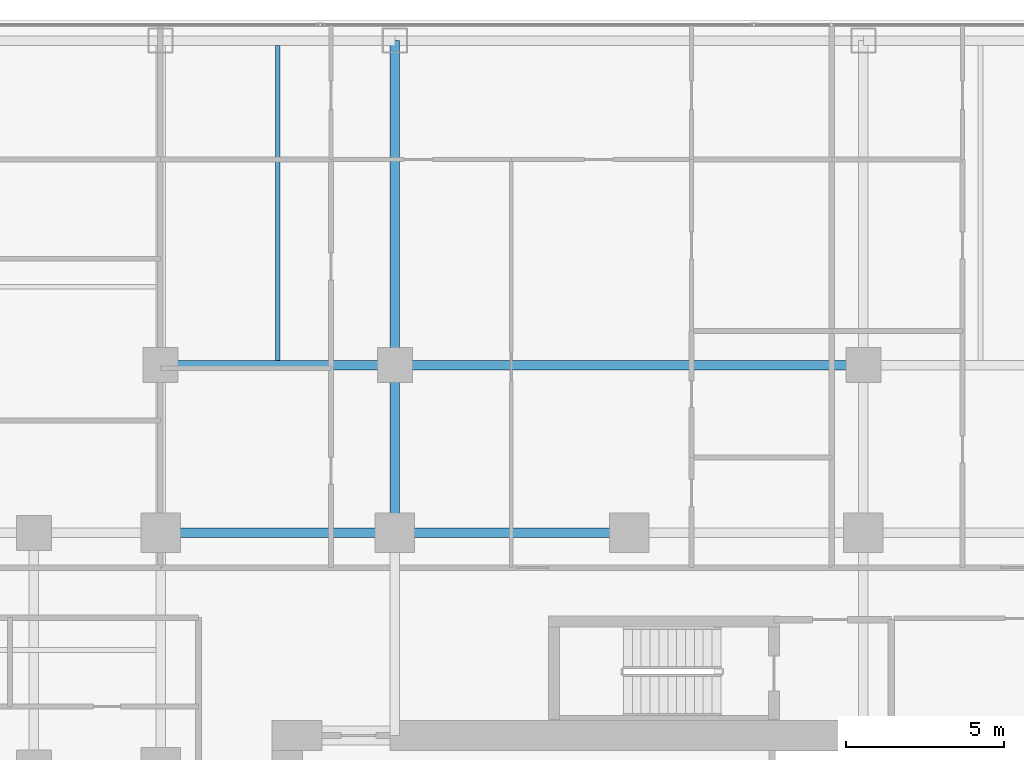
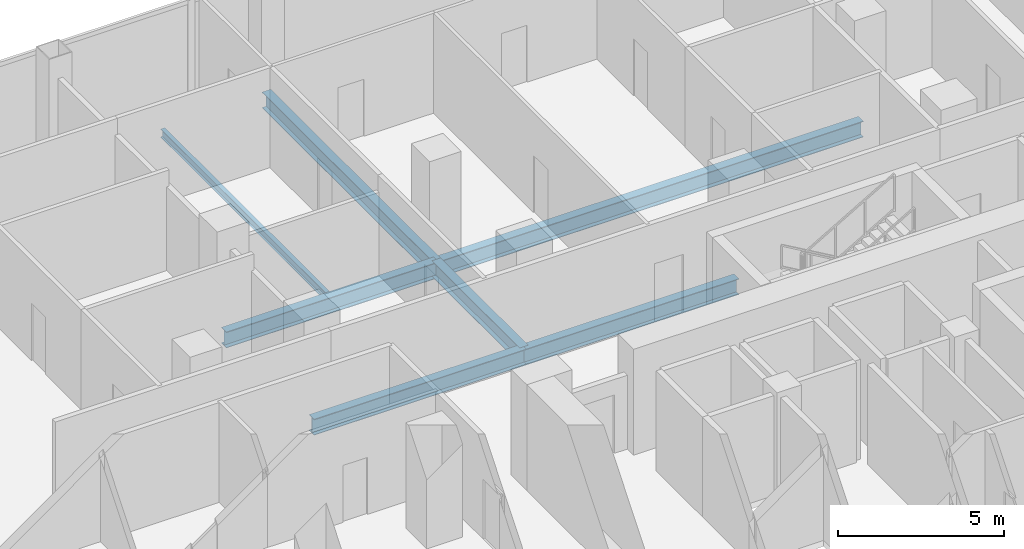
# One storey, part 14 of 28: 7 beams.
"""IFC4 building model written with IfcOpenShell, lengths in metres."""

from ifc_helpers import new_model, si_unit, direction, frame, origin, origin_2d, place, context, subcontext, project, spatial, i_section, extrude, material, material_profile, profile_set, type_object, element, save


model = new_model("IFC4")

# Units and contexts
model_context = context("Model", 3, precision=1e-05, world=origin(), true_north=direction((0.0, 1.0)))
body_context = subcontext(model_context, "Body", "Model", "MODEL_VIEW")
ifc_project = project(units=[si_unit("LENGTHUNIT", "METRE"), si_unit("AREAUNIT", "SQUARE_METRE"), si_unit("VOLUMEUNIT", "CUBIC_METRE"), si_unit("PLANEANGLEUNIT", "RADIAN"), si_unit("MASSUNIT", "GRAM", prefix="KILO")], contexts=[model_context])

# Site, building, storey
site_placement = place(None, origin())
site = spatial("IfcSite", under=ifc_project, at=site_placement, CompositionType="ELEMENT")
building_placement = place(site_placement, origin())
building = spatial("IfcBuilding", under=site, at=building_placement, Name="Khorvyn Point Tower", CompositionType="ELEMENT")
storey_placement = place(building_placement, frame((0.0, 0.0, 100.800048828125)))
storey = spatial("IfcBuildingStorey", under=building, at=storey_placement, Name="L25", CompositionType="ELEMENT", Elevation=100.800048828125)

# Beams
ifc_material = material(Name="Steel S355", Category="steel")
ifc_material_profile_1 = material_profile(ifc_material, i_section(OverallWidth=0.300048828125, OverallDepth=0.587890625, WebThickness=0.011962890625, FlangeThickness=0.02001953125, at=origin_2d()))
ifc_profile_set_1 = profile_set([ifc_material_profile_1], Name="Steel S355 H588x300x12x20")
beam_type_1 = type_object("IfcBeamType", Name="Steel S355 Beam H588x300x12x20", PredefinedType="BEAM", material=ifc_profile_set_1)
beam_1_placement = place(storey_placement, frame((-14.800048828125, 14.800048828125, -0.51416015625), z_axis=(1.0, 0.0, 0.0), x_axis=(0.0, 1.0, 0.0)))
element("IfcBeam", 1, at=beam_1_placement, inside=storey, type_object=beam_type_1, Name="Beam", PredefinedType="BEAM", context=body_context, shape_type="SweptSolid", body=[
    extrude(i_section(OverallWidth=0.300048828125, OverallDepth=0.587890625, WebThickness=0.011962890625, FlangeThickness=0.02001953125, at=origin_2d()), origin(), (0.0, 0.0, 1.0), 7.400146484375),
])
beam_2_placement = place(storey_placement, frame((-7.39990234375, 14.800048828125, -0.51416015625), z_axis=(1.0, 0.0, 0.0), x_axis=(0.0, 1.0, 0.0)))
element("IfcBeam", 2, at=beam_2_placement, inside=storey, type_object=beam_type_1, Name="Beam", PredefinedType="BEAM", context=body_context, shape_type="SweptSolid", body=[
    extrude(i_section(OverallWidth=0.300048828125, OverallDepth=0.587890625, WebThickness=0.011962890625, FlangeThickness=0.02001953125, at=origin_2d()), origin(), (0.0, 0.0, 1.0), 7.39990234375),
])
beam_3_placement = place(storey_placement, frame((-14.800048828125, 20.10009765625, -0.51416015625), z_axis=(1.0, 0.0, 0.0), x_axis=(0.0, 1.0, 0.0)))
element("IfcBeam", 3, at=beam_3_placement, inside=storey, type_object=beam_type_1, Name="Beam", PredefinedType="BEAM", context=body_context, shape_type="SweptSolid", body=[
    extrude(i_section(OverallWidth=0.300048828125, OverallDepth=0.587890625, WebThickness=0.011962890625, FlangeThickness=0.02001953125, at=origin_2d()), origin(), (0.0, 0.0, 1.0), 7.400146484375),
])
beam_4_placement = place(storey_placement, frame((-7.39990234375, 20.10009765625, -0.51416015625), z_axis=(1.0, 0.0, 0.0), x_axis=(0.0, 1.0, 0.0)))
element("IfcBeam", 4, at=beam_4_placement, inside=storey, type_object=beam_type_1, Name="Beam", PredefinedType="BEAM", context=body_context, shape_type="SweptSolid", body=[
    extrude(i_section(OverallWidth=0.300048828125, OverallDepth=0.587890625, WebThickness=0.011962890625, FlangeThickness=0.02001953125, at=origin_2d()), origin(), (0.0, 0.0, 1.0), 14.7998046875),
])
beam_5_placement = place(storey_placement, frame((-7.39990234375, 14.800048828125, -0.51416015625), z_axis=(0.0, 1.0, 0.0), x_axis=(-1.0, 0.0, 0.0)))
element("IfcBeam", 5, at=beam_5_placement, inside=storey, type_object=beam_type_1, Name="Beam", PredefinedType="BEAM", context=body_context, shape_type="SweptSolid", body=[
    extrude(i_section(OverallWidth=0.300048828125, OverallDepth=0.587890625, WebThickness=0.011962890625, FlangeThickness=0.02001953125, at=origin_2d()), origin(), (0.0, 0.0, 1.0), 5.300048828125),
])
beam_6_placement = place(storey_placement, frame((-7.39990234375, 20.10009765625, -0.51416015625), z_axis=(0.0, 1.0, 0.0), x_axis=(-1.0, 0.0, 0.0)))
element("IfcBeam", 6, at=beam_6_placement, inside=storey, type_object=beam_type_1, Name="Beam", PredefinedType="BEAM", context=body_context, shape_type="SweptSolid", body=[
    extrude(i_section(OverallWidth=0.300048828125, OverallDepth=0.587890625, WebThickness=0.011962890625, FlangeThickness=0.02001953125, at=origin_2d()), origin(), (0.0, 0.0, 1.0), 10.25),
])
ifc_material_profile_2 = material_profile(ifc_material, i_section(OverallWidth=0.14990234375, OverallDepth=0.300048828125, WebThickness=0.006591796875, FlangeThickness=0.009033203125, at=origin_2d()))
ifc_profile_set_2 = profile_set([ifc_material_profile_2], Name="Steel S355 H300x150x6.5x9")
beam_type_2 = type_object("IfcBeamType", Name="Steel S355 Joist H300x150x6.5x9", PredefinedType="JOIST", material=ifc_profile_set_2)
beam_7_placement = place(storey_placement, frame((-11.10009765625, 20.25, -0.3701171875), z_axis=(0.0, 1.0, 0.0), x_axis=(-1.0, 0.0, 0.0)))
element("IfcBeam", 7, at=beam_7_placement, inside=storey, type_object=beam_type_2, Name="Beam", PredefinedType="JOIST", context=body_context, shape_type="SweptSolid", body=[
    extrude(i_section(OverallWidth=0.14990234375, OverallDepth=0.300048828125, WebThickness=0.006591796875, FlangeThickness=0.009033203125, at=origin_2d()), origin(), (0.0, 0.0, 1.0), 9.949951171875),
])

save(model, "model.ifc")
